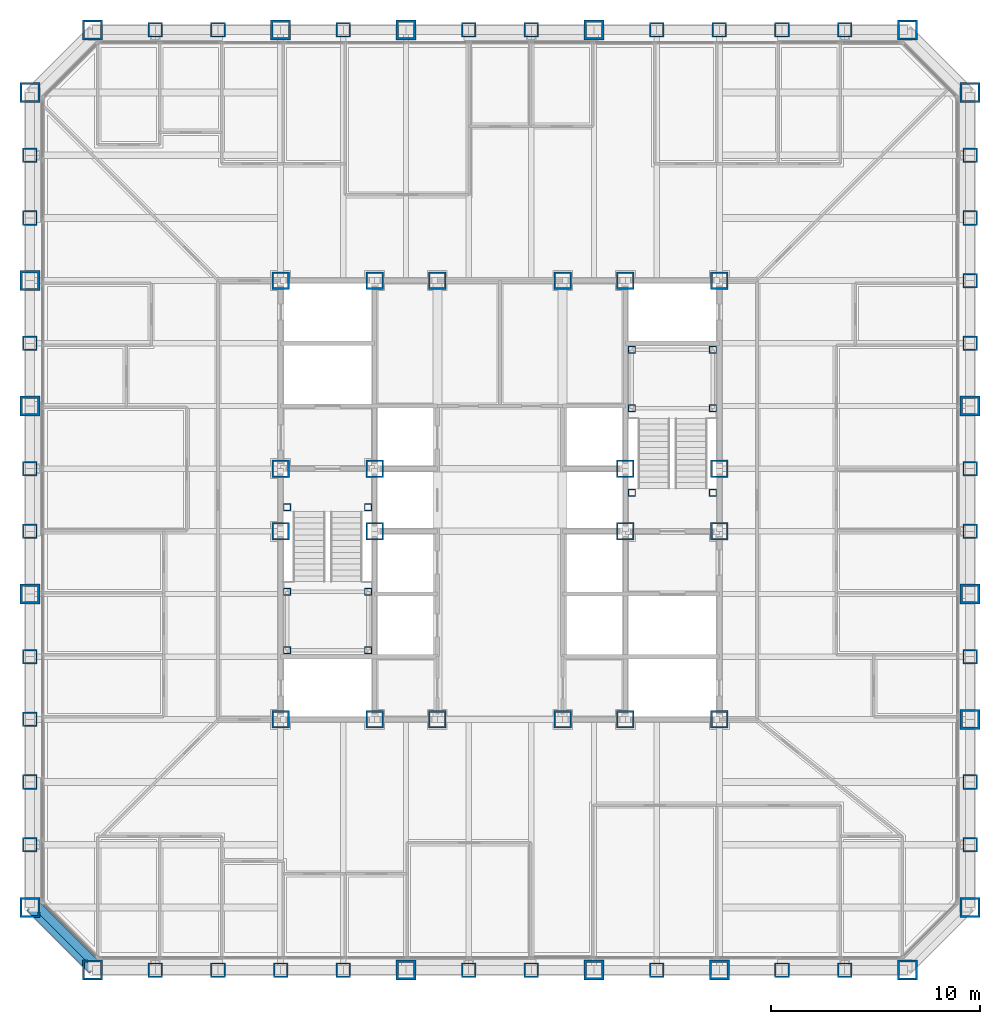
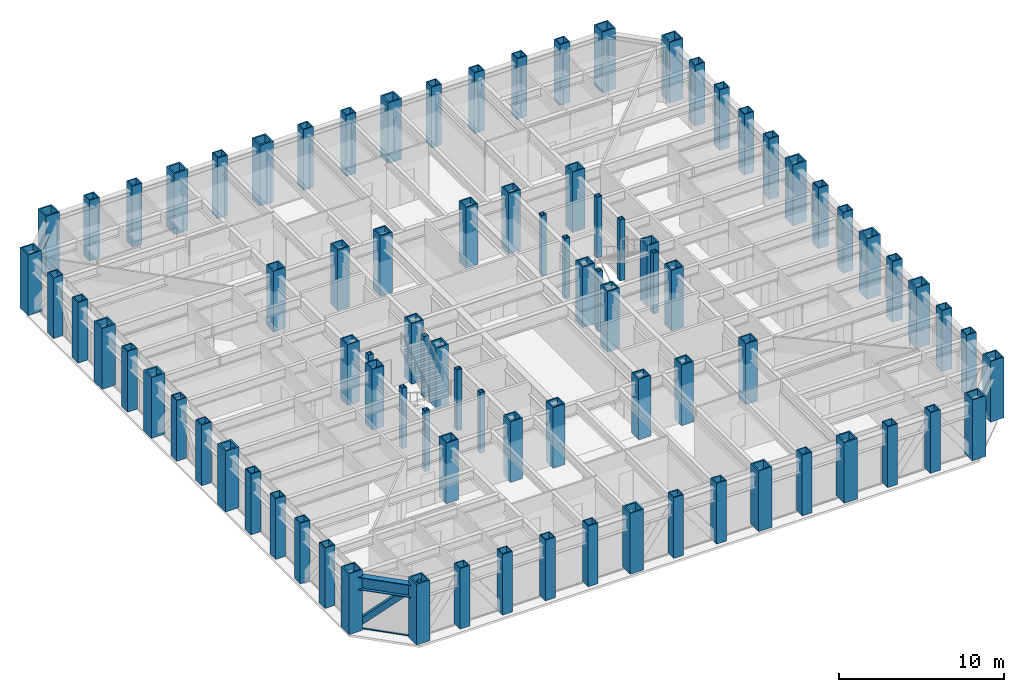
# One storey, part 1 of 17: 88 columns, 2 members, 1 beam, 1 element without a shape of its own.
"""IFC4 building model written with IfcOpenShell, lengths in metres."""

from ifc_helpers import new_model, si_unit, direction, frame, origin, origin_2d, place, context, subcontext, project, spatial, rectangle, hollow_rectangle, i_section, extrude, material, layer, layer_set, material_profile, profile_set, type_object, element, aggregate, save


model = new_model("IFC4")

# Units and contexts
model_context = context("Model", 3, precision=1e-05, world=origin(), true_north=direction((0.0, 1.0)))
body_context = subcontext(model_context, "Body", "Model", "MODEL_VIEW")
ifc_project = project(units=[si_unit("LENGTHUNIT", "METRE"), si_unit("AREAUNIT", "SQUARE_METRE"), si_unit("VOLUMEUNIT", "CUBIC_METRE"), si_unit("PLANEANGLEUNIT", "RADIAN"), si_unit("MASSUNIT", "GRAM", prefix="KILO")], contexts=[model_context])

# Site, building, storey
site_placement = place(None, origin())
site = spatial("IfcSite", under=ifc_project, at=site_placement, CompositionType="ELEMENT")
building_placement = place(site_placement, origin())
building = spatial("IfcBuilding", under=site, at=building_placement, Name="Chuquiago Exchange Tower", CompositionType="ELEMENT")
storey_placement = place(building_placement, frame((0.0, 0.0, 37.800048828125)))
storey = spatial("IfcBuildingStorey", under=building, at=storey_placement, Name="L07", CompositionType="ELEMENT", Elevation=37.800048828125)

# Columns
ifc_material_1 = material(Name="Steel ASTM A572 Grade 50", Category="steel")
ifc_material_profile_1 = material_profile(ifc_material_1, hollow_rectangle(XDim=0.699951171875, YDim=0.699951171875, WallThickness=0.070068359375, at=origin_2d()), Name="BOX700X700X70")
ifc_profile_set_1 = profile_set([ifc_material_profile_1], Name="Steel ASTM A572 Grade 50")
column_type_1 = type_object("IfcColumnType", Name="C2 BOX700X700X70", PredefinedType="COLUMN", material=ifc_profile_set_1)
for number, where, z_axis, x_axis, name in (
    (1, (6.0, 0.0, 0.0), (0.0, 0.0, 1.0), (0.0, -1.0, 0.0), "COL-L07-6_0"),
    (2, (9.0, 0.0, 0.0), (0.0, 0.0, 1.0), (0.0, -1.0, 0.0), "COL-L07-9_0"),
    (3, (12.0, 0.0, 0.0), (0.0, 0.0, 1.0), (0.0, -1.0, 0.0), "COL-L07-12_0"),
    (4, (15.0, 0.0, 0.0), (0.0, 0.0, 1.0), (0.0, -1.0, 0.0), "COL-L07-15_0"),
    (5, (21.0, 0.0, 0.0), (0.0, 0.0, 1.0), (0.0, -1.0, 0.0), "COL-L07-21_0"),
    (6, (24.0, 0.0, 0.0), (0.0, 0.0, 1.0), (0.0, -1.0, 0.0), "COL-L07-24_0"),
    (7, (30.0, 0.0, 0.0), (0.0, 0.0, 1.0), (0.0, -1.0, 0.0), "COL-L07-30_0"),
    (8, (36.0, 0.0, 0.0), (0.0, 0.0, 1.0), (0.0, -1.0, 0.0), "COL-L07-36_0"),
    (9, (39.0, 0.0, 0.0), (0.0, 0.0, 1.0), (0.0, -1.0, 0.0), "COL-L07-39_0"),
    (10, (45.0, 6.0, 0.0), (0.0, 0.0, 1.0), (1.0, 0.0, 0.0), "COL-L07-45_6"),
    (11, (45.0, 9.0, 0.0), (0.0, 0.0, 1.0), (1.0, 0.0, 0.0), "COL-L07-45_9"),
    (12, (45.0, 15.0, 0.0), (0.0, 0.0, 1.0), (1.0, 0.0, 0.0), "COL-L07-45_15"),
    (13, (45.0, 21.0, 0.0), (0.0, 0.0, 1.0), (1.0, 0.0, 0.0), "COL-L07-45_21"),
    (14, (45.0, 24.0, 0.0), (0.0, 0.0, 1.0), (1.0, 0.0, 0.0), "COL-L07-45_24"),
    (15, (45.0, 30.0, 0.0), (0.0, 0.0, 1.0), (1.0, 0.0, 0.0), "COL-L07-45_30"),
    (16, (45.0, 33.0, 0.0), (0.0, 0.0, 1.0), (1.0, 0.0, 0.0), "COL-L07-45_33"),
    (17, (45.0, 36.0, 0.0), (0.0, 0.0, 1.0), (1.0, 0.0, 0.0), "COL-L07-45_36"),
    (18, (45.0, 39.0, 0.0), (0.0, 0.0, 1.0), (1.0, 0.0, 0.0), "COL-L07-45_39"),
    (19, (39.0, 45.0, 0.0), (0.0, 0.0, 1.0), (0.0, 1.0, 0.0), "COL-L07-39_45"),
    (20, (36.0, 45.0, 0.0), (0.0, 0.0, 1.0), (0.0, 1.0, 0.0), "COL-L07-36_45"),
    (21, (33.0, 45.0, 0.0), (0.0, 0.0, 1.0), (0.0, 1.0, 0.0), "COL-L07-33_45"),
    (22, (30.0, 45.0, 0.0), (0.0, 0.0, 1.0), (0.0, 1.0, 0.0), "COL-L07-30_45"),
    (23, (24.0, 45.0, 0.0), (0.0, 0.0, 1.0), (0.0, 1.0, 0.0), "COL-L07-24_45"),
    (24, (21.0, 45.0, 0.0), (0.0, 0.0, 1.0), (0.0, 1.0, 0.0), "COL-L07-21_45"),
    (25, (15.0, 45.0, 0.0), (0.0, 0.0, 1.0), (0.0, 1.0, 0.0), "COL-L07-15_45"),
    (26, (9.0, 45.0, 0.0), (0.0, 0.0, 1.0), (0.0, 1.0, 0.0), "COL-L07-9_45"),
    (27, (6.0, 45.0, 0.0), (0.0, 0.0, 1.0), (0.0, 1.0, 0.0), "COL-L07-6_45"),
    (28, (0.0, 39.0, 0.0), (0.0, 0.0, 1.0), (-1.0, 0.0, 0.0), "COL-L07-0_39"),
    (29, (0.0, 36.0, 0.0), (0.0, 0.0, 1.0), (-1.0, 0.0, 0.0), "COL-L07-0_36"),
    (30, (0.0, 30.0, 0.0), (0.0, 0.0, 1.0), (-1.0, 0.0, 0.0), "COL-L07-0_30"),
    (31, (0.0, 24.0, 0.0), (0.0, 0.0, 1.0), (-1.0, 0.0, 0.0), "COL-L07-0_24"),
    (32, (0.0, 21.0, 0.0), (0.0, 0.0, 1.0), (-1.0, 0.0, 0.0), "COL-L07-0_21"),
    (33, (0.0, 15.0, 0.0), (0.0, 0.0, 1.0), (-1.0, 0.0, 0.0), "COL-L07-0_15"),
    (34, (0.0, 12.0, 0.0), (0.0, 0.0, 1.0), (-1.0, 0.0, 0.0), "COL-L07-0_12"),
    (35, (0.0, 9.0, 0.0), (0.0, 0.0, 1.0), (-1.0, 0.0, 0.0), "COL-L07-0_9"),
    (36, (0.0, 6.0, 0.0), (0.0, 0.0, 1.0), (-1.0, 0.0, 0.0), "COL-L07-0_6"),
):
    element("IfcColumn", number, at=place(storey_placement, frame(where, z_axis=z_axis, x_axis=x_axis)), inside=storey, type_object=column_type_1, Name=name, PredefinedType="COLUMN", context=body_context, shape_type="SweptSolid", body=[
        extrude(hollow_rectangle(XDim=0.699951171875, YDim=0.699951171875, WallThickness=0.070068359375, at=origin_2d()), origin(), (0.0, 0.0, 1.0), 4.5),
    ])
ifc_material_2 = material(Name="Steel ASTM A572 Grade 50", Category="steel")
ifc_material_profile_2 = material_profile(ifc_material_2, hollow_rectangle(XDim=0.85009765625, YDim=0.85009765625, WallThickness=0.0849609375, at=origin_2d()), Name="BOX850X850X85")
ifc_profile_set_2 = profile_set([ifc_material_profile_2], Name="Steel ASTM A572 Grade 50")
column_type_2 = type_object("IfcColumnType", Name="CC2 BOX850X850X85", PredefinedType="COLUMN", material=ifc_profile_set_2)
for number, where, z_axis, x_axis, name in (
    (37, (16.5, 12.0, 0.0), (0.0, 0.0, 1.0), (1.0, 0.0, 0.0), "CCOL-L07-16.5_12"),
    (38, (19.5, 12.0, 0.0), (0.0, 0.0, 1.0), (1.0, 0.0, 0.0), "CCOL-L07-19.5_12"),
    (39, (25.5, 12.0, 0.0), (0.0, 0.0, 1.0), (1.0, 0.0, 0.0), "CCOL-L07-25.5_12"),
    (40, (28.5, 12.0, 0.0), (0.0, 0.0, 1.0), (1.0, 0.0, 0.0), "CCOL-L07-28.5_12"),
    (41, (16.5, 33.0, 0.0), (0.0, 0.0, 1.0), (1.0, 0.0, 0.0), "CCOL-L07-16.5_33"),
    (42, (19.5, 33.0, 0.0), (0.0, 0.0, 1.0), (1.0, 0.0, 0.0), "CCOL-L07-19.5_33"),
    (43, (25.5, 33.0, 0.0), (0.0, 0.0, 1.0), (1.0, 0.0, 0.0), "CCOL-L07-25.5_33"),
    (44, (28.5, 33.0, 0.0), (0.0, 0.0, 1.0), (1.0, 0.0, 0.0), "CCOL-L07-28.5_33"),
    (45, (12.0, 21.0, 0.0), (0.0, 0.0, 1.0), (1.0, 0.0, 0.0), "CCOL-L07-12_21"),
    (46, (12.0, 24.0, 0.0), (0.0, 0.0, 1.0), (1.0, 0.0, 0.0), "CCOL-L07-12_24"),
    (47, (33.0, 21.0, 0.0), (0.0, 0.0, 1.0), (1.0, 0.0, 0.0), "CCOL-L07-33_21"),
    (48, (33.0, 24.0, 0.0), (0.0, 0.0, 1.0), (1.0, 0.0, 0.0), "CCOL-L07-33_24"),
    (49, (16.5, 21.0, 0.0), (0.0, 0.0, 1.0), (1.0, 0.0, 0.0), "CCOL-L07-16.5_21"),
    (50, (16.5, 24.0, 0.0), (0.0, 0.0, 1.0), (1.0, 0.0, 0.0), "CCOL-L07-16.5_24"),
    (51, (28.5, 21.0, 0.0), (0.0, 0.0, 1.0), (1.0, 0.0, 0.0), "CCOL-L07-28.5_21"),
    (52, (28.5, 24.0, 0.0), (0.0, 0.0, 1.0), (1.0, 0.0, 0.0), "CCOL-L07-28.5_24"),
):
    element("IfcColumn", number, at=place(storey_placement, frame(where, z_axis=z_axis, x_axis=x_axis)), inside=storey, type_object=column_type_2, Name=name, PredefinedType="COLUMN", context=body_context, shape_type="SweptSolid", body=[
        extrude(hollow_rectangle(XDim=0.85009765625, YDim=0.85009765625, WallThickness=0.0849609375, at=origin_2d()), origin(), (0.0, 0.0, 1.0), 4.5),
    ])
ifc_material_3 = material(Name="Steel ASTM A572 Grade 50", Category="steel")
ifc_material_profile_3 = material_profile(ifc_material_3, hollow_rectangle(XDim=0.85009765625, YDim=0.85009765625, WallThickness=0.0849609375, at=origin_2d()), Name="BOX850X850X85")
ifc_profile_set_3 = profile_set([ifc_material_profile_3], Name="Steel ASTM A572 Grade 50")
column_type_3 = type_object("IfcColumnType", Name="CC6 BOX850X850X85", PredefinedType="COLUMN", material=ifc_profile_set_3)
for number, where, z_axis, x_axis, name in (
    (53, (12.0, 12.0, 0.0), (0.0, 0.0, 1.0), (1.0, 0.0, 0.0), "CCOL-L07-12_12"),
    (54, (33.0, 12.0, 0.0), (0.0, 0.0, 1.0), (1.0, 0.0, 0.0), "CCOL-L07-33_12"),
    (55, (12.0, 33.0, 0.0), (0.0, 0.0, 1.0), (1.0, 0.0, 0.0), "CCOL-L07-12_33"),
    (56, (33.0, 33.0, 0.0), (0.0, 0.0, 1.0), (1.0, 0.0, 0.0), "CCOL-L07-33_33"),
):
    element("IfcColumn", number, at=place(storey_placement, frame(where, z_axis=z_axis, x_axis=x_axis)), inside=storey, type_object=column_type_3, Name=name, PredefinedType="COLUMN", context=body_context, shape_type="SweptSolid", body=[
        extrude(hollow_rectangle(XDim=0.85009765625, YDim=0.85009765625, WallThickness=0.0849609375, at=origin_2d()), origin(), (0.0, 0.0, 1.0), 4.5),
    ])
ifc_material_4 = material(Name="Steel ASTM A572 Grade 50", Category="steel")
ifc_material_profile_4 = material_profile(ifc_material_4, hollow_rectangle(XDim=0.949951171875, YDim=0.949951171875, WallThickness=0.094970703125, at=origin_2d()), Name="BOX950X950X95")
ifc_profile_set_4 = profile_set([ifc_material_profile_4], Name="Steel ASTM A572 Grade 50")
column_type_4 = type_object("IfcColumnType", Name="CN1 BOX950X950X95", PredefinedType="COLUMN", material=ifc_profile_set_4)
for number, where, z_axis, x_axis, name in (
    (57, (3.0, 0.0, 0.0), (0.0, 0.0, 1.0), (0.0, -1.0, 0.0), "COL-L07-3_0"),
    (58, (42.0, 0.0, 0.0), (0.0, 0.0, 1.0), (0.0, -1.0, 0.0), "COL-L07-42_0"),
    (59, (45.0, 3.0, 0.0), (0.0, 0.0, 1.0), (1.0, 0.0, 0.0), "COL-L07-45_3"),
    (60, (45.0, 42.0, 0.0), (0.0, 0.0, 1.0), (1.0, 0.0, 0.0), "COL-L07-45_42"),
    (61, (42.0, 45.0, 0.0), (0.0, 0.0, 1.0), (0.0, 1.0, 0.0), "COL-L07-42_45"),
    (62, (3.0, 45.0, 0.0), (0.0, 0.0, 1.0), (0.0, 1.0, 0.0), "COL-L07-3_45"),
    (63, (0.0, 42.0, 0.0), (0.0, 0.0, 1.0), (-1.0, 0.0, 0.0), "COL-L07-0_42"),
    (64, (0.0, 3.0, 0.0), (0.0, 0.0, 1.0), (-1.0, 0.0, 0.0), "COL-L07-0_3"),
):
    element("IfcColumn", number, at=place(storey_placement, frame(where, z_axis=z_axis, x_axis=x_axis)), inside=storey, type_object=column_type_4, Name=name, PredefinedType="COLUMN", context=body_context, shape_type="SweptSolid", body=[
        extrude(hollow_rectangle(XDim=0.949951171875, YDim=0.949951171875, WallThickness=0.094970703125, at=origin_2d()), origin(), (0.0, 0.0, 1.0), 4.5),
    ])
ifc_material_5 = material(Name="Steel ASTM A572 Grade 42", Category="steel")
ifc_material_profile_5 = material_profile(ifc_material_5, hollow_rectangle(XDim=0.949951171875, YDim=0.949951171875, WallThickness=0.110107421875, at=origin_2d()), Name="BOX950X950X110")
ifc_profile_set_5 = profile_set([ifc_material_profile_5], Name="Steel ASTM A572 Grade 42")
column_type_5 = type_object("IfcColumnType", Name="CT1 BOX950X950X110", PredefinedType="COLUMN", material=ifc_profile_set_5)
for number, where, z_axis, x_axis, name in (
    (65, (18.0, 0.0, 0.0), (0.0, 0.0, 1.0), (0.0, -1.0, 0.0), "COL-L07-18_0"),
    (66, (27.0, 0.0, 0.0), (0.0, 0.0, 1.0), (0.0, -1.0, 0.0), "COL-L07-27_0"),
    (67, (33.0, 0.0, 0.0), (0.0, 0.0, 1.0), (0.0, -1.0, 0.0), "COL-L07-33_0"),
    (68, (45.0, 12.0, 0.0), (0.0, 0.0, 1.0), (1.0, 0.0, 0.0), "COL-L07-45_12"),
    (69, (45.0, 18.0, 0.0), (0.0, 0.0, 1.0), (1.0, 0.0, 0.0), "COL-L07-45_18"),
    (70, (45.0, 27.0, 0.0), (0.0, 0.0, 1.0), (1.0, 0.0, 0.0), "COL-L07-45_27"),
    (71, (27.0, 45.0, 0.0), (0.0, 0.0, 1.0), (0.0, 1.0, 0.0), "COL-L07-27_45"),
    (72, (18.0, 45.0, 0.0), (0.0, 0.0, 1.0), (0.0, 1.0, 0.0), "COL-L07-18_45"),
    (73, (12.0, 45.0, 0.0), (0.0, 0.0, 1.0), (0.0, 1.0, 0.0), "COL-L07-12_45"),
    (74, (0.0, 33.0, 0.0), (0.0, 0.0, 1.0), (-1.0, 0.0, 0.0), "COL-L07-0_33"),
    (75, (0.0, 27.0, 0.0), (0.0, 0.0, 1.0), (-1.0, 0.0, 0.0), "COL-L07-0_27"),
    (76, (0.0, 18.0, 0.0), (0.0, 0.0, 1.0), (-1.0, 0.0, 0.0), "COL-L07-0_18"),
):
    element("IfcColumn", number, at=place(storey_placement, frame(where, z_axis=z_axis, x_axis=x_axis)), inside=storey, type_object=column_type_5, Name=name, PredefinedType="COLUMN", context=body_context, shape_type="SweptSolid", body=[
        extrude(hollow_rectangle(XDim=0.949951171875, YDim=0.949951171875, WallThickness=0.110107421875, at=origin_2d()), origin(), (0.0, 0.0, 1.0), 4.5),
    ])
ifc_material_6 = material(Name="Steel ASTM A572 Grade 50", Category="steel")
ifc_material_profile_6 = material_profile(ifc_material_6, hollow_rectangle(XDim=0.35009765625, YDim=0.35009765625, WallThickness=0.034912109375, at=origin_2d()), Name="BOX350X350X35")
ifc_profile_set_6 = profile_set([ifc_material_profile_6], Name="Steel ASTM A572 Grade 50")
column_type_6 = type_object("IfcColumnType", Name="PT3 BOX350X350X35", PredefinedType="COLUMN", material=ifc_profile_set_6)
for number, where, z_axis, x_axis, name in (
    (77, (12.31005859375, 15.31005859375, 0.0), (0.0, 0.0, 1.0), (1.0, 0.0, 0.0), "Stair ST1 L07 landing post"),
    (78, (16.18994140625, 15.31005859375, 0.0), (0.0, 0.0, 1.0), (1.0, 0.0, 0.0), "Stair ST1 L07 landing post"),
    (79, (12.31005859375, 18.110107421875, 0.0), (0.0, 0.0, 1.0), (1.0, 0.0, 0.0), "Stair ST1 L07 landing post"),
    (80, (16.18994140625, 18.110107421875, 0.0), (0.0, 0.0, 1.0), (1.0, 0.0, 0.0), "Stair ST1 L07 landing post"),
    (81, (12.31005859375, 22.14990234375, 0.0), (0.0, 0.0, 1.0), (1.0, 0.0, 0.0), "Stair ST1 L07 landing post"),
    (82, (16.18994140625, 22.14990234375, 0.0), (0.0, 0.0, 1.0), (1.0, 0.0, 0.0), "Stair ST1 L07 landing post"),
    (83, (28.81005859375, 29.68994140625, 0.0), (0.0, 0.0, 1.0), (1.0, 0.0, 0.0), "Stair ST2 L07 landing post"),
    (84, (32.68994140625, 29.68994140625, 0.0), (0.0, 0.0, 1.0), (1.0, 0.0, 0.0), "Stair ST2 L07 landing post"),
    (85, (28.81005859375, 26.889892578125, 0.0), (0.0, 0.0, 1.0), (1.0, 0.0, 0.0), "Stair ST2 L07 landing post"),
    (86, (32.68994140625, 26.889892578125, 0.0), (0.0, 0.0, 1.0), (1.0, 0.0, 0.0), "Stair ST2 L07 landing post"),
    (87, (28.81005859375, 22.85009765625, 0.0), (0.0, 0.0, 1.0), (1.0, 0.0, 0.0), "Stair ST2 L07 landing post"),
    (88, (32.68994140625, 22.85009765625, 0.0), (0.0, 0.0, 1.0), (1.0, 0.0, 0.0), "Stair ST2 L07 landing post"),
):
    element("IfcColumn", number, at=place(storey_placement, frame(where, z_axis=z_axis, x_axis=x_axis)), inside=storey, type_object=column_type_6, Name=name, PredefinedType="COLUMN", context=body_context, shape_type="SweptSolid", body=[
        extrude(hollow_rectangle(XDim=0.35009765625, YDim=0.35009765625, WallThickness=0.034912109375, at=origin_2d()), origin(), (0.0, 0.0, 1.0), 4.5),
    ])

# Curtain wall, member
ifc_material_7 = material(Name="Aluminium curtain wall system", Category="aluminium")
ifc_layer = layer(ifc_material_7, 0.199951171875)
ifc_layer_set = layer_set([ifc_layer], Name="CW3 facet curtain wall")
curtain_wall_type = type_object("IfcCurtainWallType", Name="CW3 facet curtain wall", PredefinedType="NOTDEFINED", material=ifc_layer_set)
curtain_wall_placement = place(storey_placement, origin())
curtain_wall = element("IfcCurtainWall", 89, at=curtain_wall_placement, inside=storey, type_object=curtain_wall_type, Name="CW3 curtain wall L07", PredefinedType="NOTDEFINED")
ifc_material_8 = material(Name="Aluminium transom, pale anodised", Category="aluminium")
ifc_material_profile_7 = material_profile(ifc_material_8, rectangle(XDim=0.139892578125, YDim=0.06494140625, at=origin_2d()), Name="AL 140x65")
ifc_profile_set_7 = profile_set([ifc_material_profile_7], Name="Aluminium transom, pale anodised")
member_type_1 = type_object("IfcMemberType", Name="CW3-T transom 65x140", PredefinedType="MULLION", material=ifc_profile_set_7)
member_1_placement = place(storey_placement, frame((0.64599609375, 3.20263671875, -0.267578125), z_axis=(0.707106781187, -0.707106781187, 0.0), x_axis=(0.707106781187, 0.707106781187, 0.0)))
member_1 = element("IfcMember", 90, at=member_1_placement, type_object=member_type_1, Name="CW3 transom 1.1", PredefinedType="MULLION", context=body_context, shape_type="SweptSolid", body=[
    extrude(rectangle(XDim=0.139892578125, YDim=0.06494140625, at=origin_2d()), origin(), (0.0, 0.0, 1.0), 3.61572265625),
])
aggregate(curtain_wall, [member_1])

# Member
ifc_material_9 = material(Name="Steel ASTM A500 Grade C", Category="steel")
ifc_material_profile_8 = material_profile(ifc_material_9, hollow_rectangle(XDim=0.406494140625, YDim=0.406494140625, WallThickness=0.0146484375, at=origin_2d()), Name="HSS16X16X5/8")
ifc_profile_set_8 = profile_set([ifc_material_profile_8], Name="Steel ASTM A500 Grade C")
member_type_2 = type_object("IfcMemberType", Name="LB4 HSS16X16X5/8", PredefinedType="BRACE", material=ifc_profile_set_8)
member_2_placement = place(storey_placement, frame((0.21337890625, 3.21337890625, 0.0), z_axis=(0.512077265487, -0.512077265487, 0.689604051861), x_axis=(0.707106781187, 0.707106781187, 0.0)))
element("IfcMember", 91, at=member_2_placement, inside=storey, type_object=member_type_2, Name="LB-L07-0_3-3_0", PredefinedType="BRACE", context=body_context, shape_type="SweptSolid", body=[
    extrude(hollow_rectangle(XDim=0.406494140625, YDim=0.406494140625, WallThickness=0.0146484375, at=origin_2d()), origin(), (0.0, 0.0, 1.0), 5.8583984375),
])

# Beam
ifc_material_10 = material(Name="Steel ASTM A992", Category="steel")
ifc_material_profile_9 = material_profile(ifc_material_10, i_section(OverallWidth=0.424072265625, OverallDepth=0.947509765625, WebThickness=0.02392578125, FlangeThickness=0.042724609375, at=origin_2d()), Name="W36X302")
ifc_profile_set_9 = profile_set([ifc_material_profile_9], Name="Steel ASTM A992")
beam_type = type_object("IfcBeamType", Name="SP1 W36X302", PredefinedType="SPANDREL", material=ifc_profile_set_9)
beam_placement = place(storey_placement, frame((0.0, 3.0, 3.566162109375), z_axis=(0.707106781187, -0.707106781187, 0.0), x_axis=(0.707106781187, 0.707106781187, 0.0)))
element("IfcBeam", 92, at=beam_placement, inside=storey, type_object=beam_type, Name="SPB-L08-0_3-3_0", PredefinedType="SPANDREL", context=body_context, shape_type="SweptSolid", body=[
    extrude(i_section(OverallWidth=0.424072265625, OverallDepth=0.947509765625, WebThickness=0.02392578125, FlangeThickness=0.042724609375, at=origin_2d()), origin(), (0.0, 0.0, 1.0), 4.24267578125),
])

save(model, "model.ifc")
